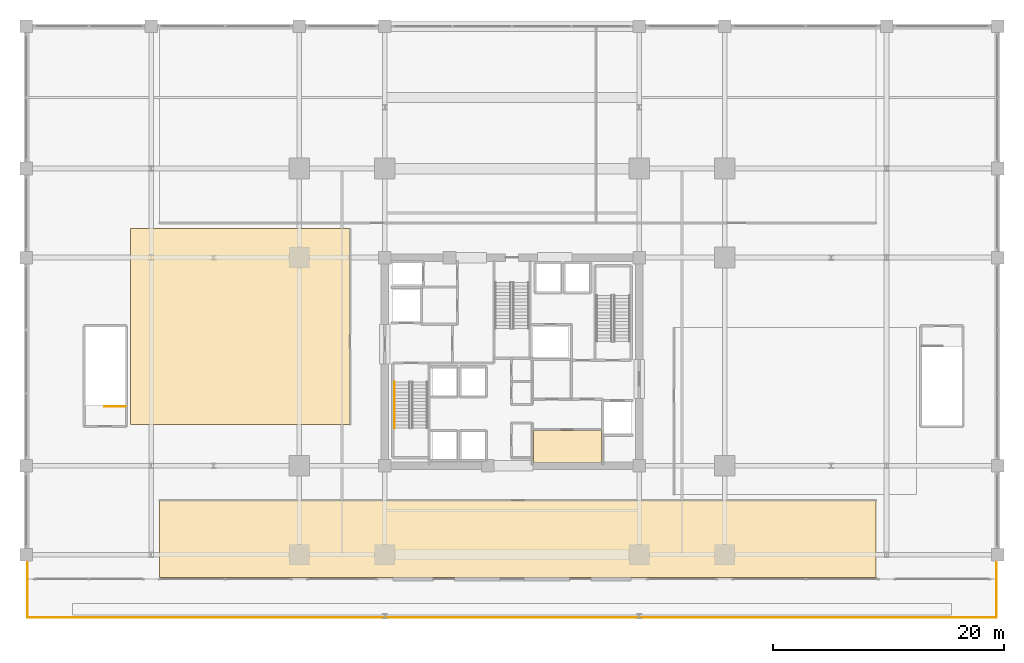
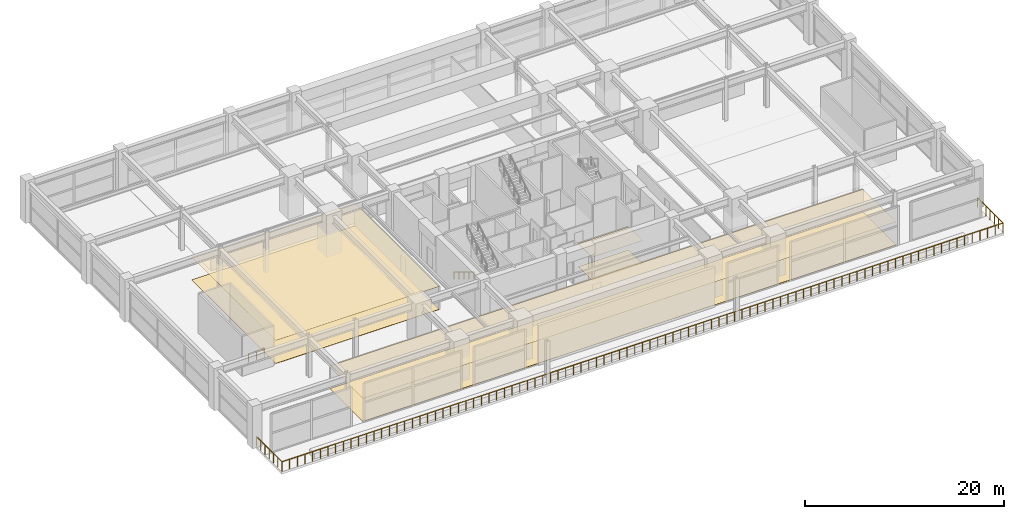
# One storey, part 33 of 35: 6 coverings, 3 railings.
"""IFC4 building model written with IfcOpenShell, lengths in metres."""

from ifc_helpers import new_model, si_unit, direction, frame, origin, origin_2d, place, context, subcontext, project, spatial, polyline, circle, outline, extrude, material, layer, layer_set, type_object, element, save


model = new_model("IFC4")

# Units and contexts
model_context = context("Model", 3, precision=1e-05, world=origin(), true_north=direction((0.0, 1.0)))
body_context = subcontext(model_context, "Body", "Model", "MODEL_VIEW")
ifc_project = project(units=[si_unit("LENGTHUNIT", "METRE"), si_unit("AREAUNIT", "SQUARE_METRE"), si_unit("VOLUMEUNIT", "CUBIC_METRE"), si_unit("PLANEANGLEUNIT", "RADIAN"), si_unit("MASSUNIT", "GRAM", prefix="KILO")], contexts=[model_context])

# Site, building, storey
site_placement = place(None, origin())
site = spatial("IfcSite", under=ifc_project, at=site_placement, CompositionType="ELEMENT")
building_placement = place(site_placement, origin())
building = spatial("IfcBuilding", under=site, at=building_placement, Name="Kovane Verandah Tower", CompositionType="ELEMENT")
storey_placement = place(building_placement, frame((0.0, 0.0, 16.39990234375)))
storey = spatial("IfcBuildingStorey", under=building, at=storey_placement, Name="L03", CompositionType="ELEMENT", Elevation=16.39990234375)

# Coverings
ifc_material_1 = material(Name="Perforated Acoustic Mineral-Fibre Ceiling Tile", Category="gypsum")
ifc_layer_1 = layer(ifc_material_1, 0.02490234375)
ifc_layer_set_1 = layer_set([ifc_layer_1], Name="Perforated Acoustic Mineral-Fibre Ceiling Tile")
covering_type_1 = type_object("IfcCoveringType", Name="CV-CEIL-25", PredefinedType="CEILING", material=ifc_layer_set_1)
covering_1_placement = place(storey_placement, frame((0.0, 0.0, 2.8251953125)))
element("IfcCovering", 1, at=covering_1_placement, inside=storey, type_object=covering_type_1, Name="L03 Records Vault Room Acoustic Ceiling", PredefinedType="CEILING", context=body_context, shape_type="SweptSolid", body=[
    extrude(outline(polyline([(41.864990234375, 18.784912109375), (47.764892578125, 18.784912109375), (47.764892578125, 21.56494140625), (41.864990234375, 21.56494140625), (41.864990234375, 18.784912109375)])), origin(), (0.0, 0.0, 1.0), 0.02490234375),
])
covering_2_placement = place(storey_placement, frame((0.0, 0.0, 2.8251953125)))
element("IfcCovering", 2, at=covering_2_placement, inside=storey, type_object=covering_type_1, Name="L03 South Conference Centre Acoustic Ceiling", PredefinedType="CEILING", context=body_context, shape_type="SweptSolid", body=[
    extrude(outline(polyline([(9.5, 8.85009765625), (71.5, 8.85009765625), (71.5, 15.5), (9.5, 15.5), (9.5, 8.85009765625)])), origin(), (0.0, 0.0, 1.0), 0.02490234375),
])
covering_3_placement = place(storey_placement, frame((0.0, 0.0, 2.8251953125)))
element("IfcCovering", 3, at=covering_3_placement, inside=storey, type_object=covering_type_1, Name="L03 West Client Advisory Suite Acoustic Ceiling", PredefinedType="CEILING", context=body_context, shape_type="SweptSolid", body=[
    extrude(outline(polyline([(7.0, 22.050048828125), (26.0, 22.050048828125), (26.0, 39.0), (7.0, 39.0), (7.0, 22.050048828125)])), origin(), (0.0, 0.0, 1.0), 0.02490234375),
])
ifc_material_2 = material(Name="Polished Terrazzo and Raised-Access Carpet Tile Finish", Category="concrete")
ifc_layer_2 = layer(ifc_material_2, 0.030029296875)
ifc_layer_set_2 = layer_set([ifc_layer_2], Name="Polished Terrazzo and Raised-Access Carpet Tile Finish")
covering_type_2 = type_object("IfcCoveringType", Name="CV-FLOR-30", PredefinedType="FLOORING", material=ifc_layer_set_2)
covering_4_placement = place(storey_placement, origin())
element("IfcCovering", 4, at=covering_4_placement, inside=storey, type_object=covering_type_2, Name="L03 Records Vault Room Floor Finish", PredefinedType="FLOORING", context=body_context, shape_type="SweptSolid", body=[
    extrude(outline(polyline([(41.8798828125, 18.800048828125), (47.75, 18.800048828125), (47.75, 21.550048828125), (41.8798828125, 21.550048828125), (41.8798828125, 18.800048828125)])), origin(), (0.0, 0.0, 1.0), 0.030029296875),
])
covering_5_placement = place(storey_placement, origin())
element("IfcCovering", 5, at=covering_5_placement, inside=storey, type_object=covering_type_2, Name="L03 South Conference Centre Floor Finish", PredefinedType="FLOORING", context=body_context, shape_type="SweptSolid", body=[
    extrude(outline(polyline([(9.5, 8.85009765625), (71.5, 8.85009765625), (71.5, 15.5), (9.5, 15.5), (9.5, 8.85009765625)])), origin(), (0.0, 0.0, 1.0), 0.030029296875),
])
covering_6_placement = place(storey_placement, origin())
element("IfcCovering", 6, at=covering_6_placement, inside=storey, type_object=covering_type_2, Name="L03 West Client Advisory Suite Floor Finish", PredefinedType="FLOORING", context=body_context, shape_type="SweptSolid", body=[
    extrude(outline(polyline([(7.0, 22.050048828125), (26.0, 22.050048828125), (26.0, 39.0), (7.0, 39.0), (7.0, 22.050048828125)])), origin(), (0.0, 0.0, 1.0), 0.030029296875),
])

# Railings
ifc_material_3 = material(Name="Pale-Champagne Stainless Steel and Glass Perimeter Guard", Category="steel")
railing_type_1 = type_object("IfcRailingType", Name="RL-GDN-1200", PredefinedType="GUARDRAIL", material=ifc_material_3)
railing_1_placement = place(storey_placement, frame((-1.919921875, 10.5, 0.0)))
element("IfcRailing", 7, at=railing_1_placement, inside=storey, type_object=railing_type_1, Name="L03 Cascading Garden Terrace Balustrade", PredefinedType="GUARDRAIL", context=body_context, shape_type="SweptSolid", body=[
    extrude(circle(Radius=0.02392578125, at=origin_2d()), frame((0.0, 0.0, 1.17578125), z_axis=(0.0, -1.0, 0.0), x_axis=(1.0, 0.0, 0.0)), (0.0, 0.0, 1.0), 5.1201171875),
    extrude(circle(Radius=0.02392578125, at=origin_2d()), frame((0.0, -5.1201171875, 1.17578125), z_axis=(1.0, 0.0, 0.0), x_axis=(0.0, 1.0, 0.0)), (0.0, 0.0, 1.0), 83.83984375),
    extrude(circle(Radius=0.02392578125, at=origin_2d()), frame((83.83984375, -5.1201171875, 1.17578125), z_axis=(0.0, 1.0, 0.0), x_axis=(-1.0, 0.0, 0.0)), (0.0, 0.0, 1.0), 5.1201171875),
    extrude(circle(Radius=0.02099609375, at=origin_2d()), origin(), (0.0, 0.0, 1.0), 1.15185546875),
    extrude(circle(Radius=0.02099609375, at=origin_2d()), frame((0.0, -0.853271484375, 0.0)), (0.0, 0.0, 1.0), 1.15185546875),
    extrude(circle(Radius=0.02099609375, at=origin_2d()), frame((0.0, -1.706787109375, 0.0)), (0.0, 0.0, 1.0), 1.15185546875),
    extrude(circle(Radius=0.02099609375, at=origin_2d()), frame((0.0, -2.56005859375, 0.0)), (0.0, 0.0, 1.0), 1.15185546875),
    extrude(circle(Radius=0.02099609375, at=origin_2d()), frame((0.0, -3.413330078125, 0.0)), (0.0, 0.0, 1.0), 1.15185546875),
    extrude(circle(Radius=0.02099609375, at=origin_2d()), frame((0.0, -4.266845703125, 0.0)), (0.0, 0.0, 1.0), 1.15185546875),
    extrude(circle(Radius=0.02099609375, at=origin_2d()), frame((0.0, -5.1201171875, 0.0)), (0.0, 0.0, 1.0), 1.15185546875),
    extrude(circle(Radius=0.02099609375, at=origin_2d()), frame((0.891845703125, -5.1201171875, 0.0)), (0.0, 0.0, 1.0), 1.15185546875),
    extrude(circle(Radius=0.02099609375, at=origin_2d()), frame((1.783935546875, -5.1201171875, 0.0)), (0.0, 0.0, 1.0), 1.15185546875),
    extrude(circle(Radius=0.02099609375, at=origin_2d()), frame((2.67578125, -5.1201171875, 0.0)), (0.0, 0.0, 1.0), 1.15185546875),
    extrude(circle(Radius=0.02099609375, at=origin_2d()), frame((3.567626953125, -5.1201171875, 0.0)), (0.0, 0.0, 1.0), 1.15185546875),
    extrude(circle(Radius=0.02099609375, at=origin_2d()), frame((4.45947265625, -5.1201171875, 0.0)), (0.0, 0.0, 1.0), 1.15185546875),
    extrude(circle(Radius=0.02099609375, at=origin_2d()), frame((5.3515625, -5.1201171875, 0.0)), (0.0, 0.0, 1.0), 1.15185546875),
    extrude(circle(Radius=0.02099609375, at=origin_2d()), frame((6.243408203125, -5.1201171875, 0.0)), (0.0, 0.0, 1.0), 1.15185546875),
    extrude(circle(Radius=0.02099609375, at=origin_2d()), frame((7.13525390625, -5.1201171875, 0.0)), (0.0, 0.0, 1.0), 1.15185546875),
    extrude(circle(Radius=0.02099609375, at=origin_2d()), frame((8.027099609375, -5.1201171875, 0.0)), (0.0, 0.0, 1.0), 1.15185546875),
    extrude(circle(Radius=0.02099609375, at=origin_2d()), frame((8.919189453125, -5.1201171875, 0.0)), (0.0, 0.0, 1.0), 1.15185546875),
    extrude(circle(Radius=0.02099609375, at=origin_2d()), frame((9.81103515625, -5.1201171875, 0.0)), (0.0, 0.0, 1.0), 1.15185546875),
    extrude(circle(Radius=0.02099609375, at=origin_2d()), frame((10.702880859375, -5.1201171875, 0.0)), (0.0, 0.0, 1.0), 1.15185546875),
    extrude(circle(Radius=0.02099609375, at=origin_2d()), frame((11.594970703125, -5.1201171875, 0.0)), (0.0, 0.0, 1.0), 1.15185546875),
    extrude(circle(Radius=0.02099609375, at=origin_2d()), frame((12.48681640625, -5.1201171875, 0.0)), (0.0, 0.0, 1.0), 1.15185546875),
    extrude(circle(Radius=0.02099609375, at=origin_2d()), frame((13.378662109375, -5.1201171875, 0.0)), (0.0, 0.0, 1.0), 1.15185546875),
    extrude(circle(Radius=0.02099609375, at=origin_2d()), frame((14.2705078125, -5.1201171875, 0.0)), (0.0, 0.0, 1.0), 1.15185546875),
    extrude(circle(Radius=0.02099609375, at=origin_2d()), frame((15.16259765625, -5.1201171875, 0.0)), (0.0, 0.0, 1.0), 1.15185546875),
    extrude(circle(Radius=0.02099609375, at=origin_2d()), frame((16.054443359375, -5.1201171875, 0.0)), (0.0, 0.0, 1.0), 1.15185546875),
    extrude(circle(Radius=0.02099609375, at=origin_2d()), frame((16.9462890625, -5.1201171875, 0.0)), (0.0, 0.0, 1.0), 1.15185546875),
    extrude(circle(Radius=0.02099609375, at=origin_2d()), frame((17.83837890625, -5.1201171875, 0.0)), (0.0, 0.0, 1.0), 1.15185546875),
    extrude(circle(Radius=0.02099609375, at=origin_2d()), frame((18.730224609375, -5.1201171875, 0.0)), (0.0, 0.0, 1.0), 1.15185546875),
    extrude(circle(Radius=0.02099609375, at=origin_2d()), frame((19.6220703125, -5.1201171875, 0.0)), (0.0, 0.0, 1.0), 1.15185546875),
    extrude(circle(Radius=0.02099609375, at=origin_2d()), frame((20.513916015625, -5.1201171875, 0.0)), (0.0, 0.0, 1.0), 1.15185546875),
    extrude(circle(Radius=0.02099609375, at=origin_2d()), frame((21.406005859375, -5.1201171875, 0.0)), (0.0, 0.0, 1.0), 1.15185546875),
    extrude(circle(Radius=0.02099609375, at=origin_2d()), frame((22.2978515625, -5.1201171875, 0.0)), (0.0, 0.0, 1.0), 1.15185546875),
    extrude(circle(Radius=0.02099609375, at=origin_2d()), frame((23.189697265625, -5.1201171875, 0.0)), (0.0, 0.0, 1.0), 1.15185546875),
    extrude(circle(Radius=0.02099609375, at=origin_2d()), frame((24.08154296875, -5.1201171875, 0.0)), (0.0, 0.0, 1.0), 1.15185546875),
    extrude(circle(Radius=0.02099609375, at=origin_2d()), frame((24.9736328125, -5.1201171875, 0.0)), (0.0, 0.0, 1.0), 1.15185546875),
    extrude(circle(Radius=0.02099609375, at=origin_2d()), frame((25.865478515625, -5.1201171875, 0.0)), (0.0, 0.0, 1.0), 1.15185546875),
    extrude(circle(Radius=0.02099609375, at=origin_2d()), frame((26.75732421875, -5.1201171875, 0.0)), (0.0, 0.0, 1.0), 1.15185546875),
    extrude(circle(Radius=0.02099609375, at=origin_2d()), frame((27.6494140625, -5.1201171875, 0.0)), (0.0, 0.0, 1.0), 1.15185546875),
    extrude(circle(Radius=0.02099609375, at=origin_2d()), frame((28.541259765625, -5.1201171875, 0.0)), (0.0, 0.0, 1.0), 1.15185546875),
    extrude(circle(Radius=0.02099609375, at=origin_2d()), frame((29.43310546875, -5.1201171875, 0.0)), (0.0, 0.0, 1.0), 1.15185546875),
    extrude(circle(Radius=0.02099609375, at=origin_2d()), frame((30.324951171875, -5.1201171875, 0.0)), (0.0, 0.0, 1.0), 1.15185546875),
    extrude(circle(Radius=0.02099609375, at=origin_2d()), frame((31.217041015625, -5.1201171875, 0.0)), (0.0, 0.0, 1.0), 1.15185546875),
    extrude(circle(Radius=0.02099609375, at=origin_2d()), frame((32.10888671875, -5.1201171875, 0.0)), (0.0, 0.0, 1.0), 1.15185546875),
    extrude(circle(Radius=0.02099609375, at=origin_2d()), frame((33.000732421875, -5.1201171875, 0.0)), (0.0, 0.0, 1.0), 1.15185546875),
    extrude(circle(Radius=0.02099609375, at=origin_2d()), frame((33.892822265625, -5.1201171875, 0.0)), (0.0, 0.0, 1.0), 1.15185546875),
    extrude(circle(Radius=0.02099609375, at=origin_2d()), frame((34.78466796875, -5.1201171875, 0.0)), (0.0, 0.0, 1.0), 1.15185546875),
    extrude(circle(Radius=0.02099609375, at=origin_2d()), frame((35.676513671875, -5.1201171875, 0.0)), (0.0, 0.0, 1.0), 1.15185546875),
    extrude(circle(Radius=0.02099609375, at=origin_2d()), frame((36.568359375, -5.1201171875, 0.0)), (0.0, 0.0, 1.0), 1.15185546875),
    extrude(circle(Radius=0.02099609375, at=origin_2d()), frame((37.46044921875, -5.1201171875, 0.0)), (0.0, 0.0, 1.0), 1.15185546875),
    extrude(circle(Radius=0.02099609375, at=origin_2d()), frame((38.352294921875, -5.1201171875, 0.0)), (0.0, 0.0, 1.0), 1.15185546875),
    extrude(circle(Radius=0.02099609375, at=origin_2d()), frame((39.244140625, -5.1201171875, 0.0)), (0.0, 0.0, 1.0), 1.15185546875),
    extrude(circle(Radius=0.02099609375, at=origin_2d()), frame((40.135986328125, -5.1201171875, 0.0)), (0.0, 0.0, 1.0), 1.15185546875),
    extrude(circle(Radius=0.02099609375, at=origin_2d()), frame((41.028076171875, -5.1201171875, 0.0)), (0.0, 0.0, 1.0), 1.15185546875),
    extrude(circle(Radius=0.02099609375, at=origin_2d()), frame((41.919921875, -5.1201171875, 0.0)), (0.0, 0.0, 1.0), 1.15185546875),
    extrude(circle(Radius=0.02099609375, at=origin_2d()), frame((42.811767578125, -5.1201171875, 0.0)), (0.0, 0.0, 1.0), 1.15185546875),
    extrude(circle(Radius=0.02099609375, at=origin_2d()), frame((43.703857421875, -5.1201171875, 0.0)), (0.0, 0.0, 1.0), 1.15185546875),
    extrude(circle(Radius=0.02099609375, at=origin_2d()), frame((44.595703125, -5.1201171875, 0.0)), (0.0, 0.0, 1.0), 1.15185546875),
    extrude(circle(Radius=0.02099609375, at=origin_2d()), frame((45.487548828125, -5.1201171875, 0.0)), (0.0, 0.0, 1.0), 1.15185546875),
    extrude(circle(Radius=0.02099609375, at=origin_2d()), frame((46.37939453125, -5.1201171875, 0.0)), (0.0, 0.0, 1.0), 1.15185546875),
    extrude(circle(Radius=0.02099609375, at=origin_2d()), frame((47.271484375, -5.1201171875, 0.0)), (0.0, 0.0, 1.0), 1.15185546875),
    extrude(circle(Radius=0.02099609375, at=origin_2d()), frame((48.163330078125, -5.1201171875, 0.0)), (0.0, 0.0, 1.0), 1.15185546875),
    extrude(circle(Radius=0.02099609375, at=origin_2d()), frame((49.05517578125, -5.1201171875, 0.0)), (0.0, 0.0, 1.0), 1.15185546875),
    extrude(circle(Radius=0.02099609375, at=origin_2d()), frame((49.947021484375, -5.1201171875, 0.0)), (0.0, 0.0, 1.0), 1.15185546875),
    extrude(circle(Radius=0.02099609375, at=origin_2d()), frame((50.839111328125, -5.1201171875, 0.0)), (0.0, 0.0, 1.0), 1.15185546875),
    extrude(circle(Radius=0.02099609375, at=origin_2d()), frame((51.73095703125, -5.1201171875, 0.0)), (0.0, 0.0, 1.0), 1.15185546875),
    extrude(circle(Radius=0.02099609375, at=origin_2d()), frame((52.622802734375, -5.1201171875, 0.0)), (0.0, 0.0, 1.0), 1.15185546875),
    extrude(circle(Radius=0.02099609375, at=origin_2d()), frame((53.514892578125, -5.1201171875, 0.0)), (0.0, 0.0, 1.0), 1.15185546875),
    extrude(circle(Radius=0.02099609375, at=origin_2d()), frame((54.40673828125, -5.1201171875, 0.0)), (0.0, 0.0, 1.0), 1.15185546875),
    extrude(circle(Radius=0.02099609375, at=origin_2d()), frame((55.298583984375, -5.1201171875, 0.0)), (0.0, 0.0, 1.0), 1.15185546875),
    extrude(circle(Radius=0.02099609375, at=origin_2d()), frame((56.1904296875, -5.1201171875, 0.0)), (0.0, 0.0, 1.0), 1.15185546875),
    extrude(circle(Radius=0.02099609375, at=origin_2d()), frame((57.08251953125, -5.1201171875, 0.0)), (0.0, 0.0, 1.0), 1.15185546875),
    extrude(circle(Radius=0.02099609375, at=origin_2d()), frame((57.974365234375, -5.1201171875, 0.0)), (0.0, 0.0, 1.0), 1.15185546875),
    extrude(circle(Radius=0.02099609375, at=origin_2d()), frame((58.8662109375, -5.1201171875, 0.0)), (0.0, 0.0, 1.0), 1.15185546875),
    extrude(circle(Radius=0.02099609375, at=origin_2d()), frame((59.75830078125, -5.1201171875, 0.0)), (0.0, 0.0, 1.0), 1.15185546875),
    extrude(circle(Radius=0.02099609375, at=origin_2d()), frame((60.650146484375, -5.1201171875, 0.0)), (0.0, 0.0, 1.0), 1.15185546875),
    extrude(circle(Radius=0.02099609375, at=origin_2d()), frame((61.5419921875, -5.1201171875, 0.0)), (0.0, 0.0, 1.0), 1.15185546875),
    extrude(circle(Radius=0.02099609375, at=origin_2d()), frame((62.433837890625, -5.1201171875, 0.0)), (0.0, 0.0, 1.0), 1.15185546875),
    extrude(circle(Radius=0.02099609375, at=origin_2d()), frame((63.325927734375, -5.1201171875, 0.0)), (0.0, 0.0, 1.0), 1.15185546875),
    extrude(circle(Radius=0.02099609375, at=origin_2d()), frame((64.2177734375, -5.1201171875, 0.0)), (0.0, 0.0, 1.0), 1.15185546875),
    extrude(circle(Radius=0.02099609375, at=origin_2d()), frame((65.109619140625, -5.1201171875, 0.0)), (0.0, 0.0, 1.0), 1.15185546875),
    extrude(circle(Radius=0.02099609375, at=origin_2d()), frame((66.00146484375, -5.1201171875, 0.0)), (0.0, 0.0, 1.0), 1.15185546875),
    extrude(circle(Radius=0.02099609375, at=origin_2d()), frame((66.8935546875, -5.1201171875, 0.0)), (0.0, 0.0, 1.0), 1.15185546875),
    extrude(circle(Radius=0.02099609375, at=origin_2d()), frame((67.785400390625, -5.1201171875, 0.0)), (0.0, 0.0, 1.0), 1.15185546875),
    extrude(circle(Radius=0.02099609375, at=origin_2d()), frame((68.67724609375, -5.1201171875, 0.0)), (0.0, 0.0, 1.0), 1.15185546875),
    extrude(circle(Radius=0.02099609375, at=origin_2d()), frame((69.5693359375, -5.1201171875, 0.0)), (0.0, 0.0, 1.0), 1.15185546875),
    extrude(circle(Radius=0.02099609375, at=origin_2d()), frame((70.461181640625, -5.1201171875, 0.0)), (0.0, 0.0, 1.0), 1.15185546875),
    extrude(circle(Radius=0.02099609375, at=origin_2d()), frame((71.35302734375, -5.1201171875, 0.0)), (0.0, 0.0, 1.0), 1.15185546875),
    extrude(circle(Radius=0.02099609375, at=origin_2d()), frame((72.244873046875, -5.1201171875, 0.0)), (0.0, 0.0, 1.0), 1.15185546875),
    extrude(circle(Radius=0.02099609375, at=origin_2d()), frame((73.136962890625, -5.1201171875, 0.0)), (0.0, 0.0, 1.0), 1.15185546875),
    extrude(circle(Radius=0.02099609375, at=origin_2d()), frame((74.02880859375, -5.1201171875, 0.0)), (0.0, 0.0, 1.0), 1.15185546875),
    extrude(circle(Radius=0.02099609375, at=origin_2d()), frame((74.920654296875, -5.1201171875, 0.0)), (0.0, 0.0, 1.0), 1.15185546875),
    extrude(circle(Radius=0.02099609375, at=origin_2d()), frame((75.812744140625, -5.1201171875, 0.0)), (0.0, 0.0, 1.0), 1.15185546875),
    extrude(circle(Radius=0.02099609375, at=origin_2d()), frame((76.70458984375, -5.1201171875, 0.0)), (0.0, 0.0, 1.0), 1.15185546875),
    extrude(circle(Radius=0.02099609375, at=origin_2d()), frame((77.596435546875, -5.1201171875, 0.0)), (0.0, 0.0, 1.0), 1.15185546875),
    extrude(circle(Radius=0.02099609375, at=origin_2d()), frame((78.48828125, -5.1201171875, 0.0)), (0.0, 0.0, 1.0), 1.15185546875),
    extrude(circle(Radius=0.02099609375, at=origin_2d()), frame((79.38037109375, -5.1201171875, 0.0)), (0.0, 0.0, 1.0), 1.15185546875),
    extrude(circle(Radius=0.02099609375, at=origin_2d()), frame((80.272216796875, -5.1201171875, 0.0)), (0.0, 0.0, 1.0), 1.15185546875),
    extrude(circle(Radius=0.02099609375, at=origin_2d()), frame((81.1640625, -5.1201171875, 0.0)), (0.0, 0.0, 1.0), 1.15185546875),
    extrude(circle(Radius=0.02099609375, at=origin_2d()), frame((82.055908203125, -5.1201171875, 0.0)), (0.0, 0.0, 1.0), 1.15185546875),
    extrude(circle(Radius=0.02099609375, at=origin_2d()), frame((82.947998046875, -5.1201171875, 0.0)), (0.0, 0.0, 1.0), 1.15185546875),
    extrude(circle(Radius=0.02099609375, at=origin_2d()), frame((83.83984375, -5.1201171875, 0.0)), (0.0, 0.0, 1.0), 1.15185546875),
    extrude(circle(Radius=0.02099609375, at=origin_2d()), frame((83.83984375, -4.266845703125, 0.0)), (0.0, 0.0, 1.0), 1.15185546875),
    extrude(circle(Radius=0.02099609375, at=origin_2d()), frame((83.83984375, -3.413330078125, 0.0)), (0.0, 0.0, 1.0), 1.15185546875),
    extrude(circle(Radius=0.02099609375, at=origin_2d()), frame((83.83984375, -2.56005859375, 0.0)), (0.0, 0.0, 1.0), 1.15185546875),
    extrude(circle(Radius=0.02099609375, at=origin_2d()), frame((83.83984375, -1.706787109375, 0.0)), (0.0, 0.0, 1.0), 1.15185546875),
    extrude(circle(Radius=0.02099609375, at=origin_2d()), frame((83.83984375, -0.853271484375, 0.0)), (0.0, 0.0, 1.0), 1.15185546875),
    extrude(circle(Radius=0.02099609375, at=origin_2d()), frame((83.83984375, 0.0, 0.0)), (0.0, 0.0, 1.0), 1.15185546875),
])
ifc_material_4 = material(Name="Brushed Stainless Steel Handrail", Category="steel")
railing_type_2 = type_object("IfcRailingType", Name="RL-HAND-920", PredefinedType="HANDRAIL", material=ifc_material_4)
railing_2_placement = place(storey_placement, frame((29.85009765625, 25.75, 0.17333984375)))
element("IfcRailing", 8, at=railing_2_placement, inside=storey, type_object=railing_type_2, Name="L03 ST-01 stair handrail 1", PredefinedType="HANDRAIL", context=body_context, shape_type="SweptSolid", body=[
    extrude(circle(Radius=0.02392578125, at=origin_2d()), frame((0.0, 0.0, 0.8759765625), z_axis=(0.0, -0.854382233033, 0.519645071061), x_axis=(1.0, 0.0, 0.0)), (0.0, 0.0, 1.0), 4.669921875),
    extrude(circle(Radius=0.02099609375, at=origin_2d()), origin(), (0.0, 0.0, 1.0), 0.851806640625),
    extrude(circle(Radius=0.02099609375, at=origin_2d()), frame((0.0, -0.99755859375, 0.606689453125)), (0.0, 0.0, 1.0), 0.851806640625),
    extrude(circle(Radius=0.02099609375, at=origin_2d()), frame((0.0, -1.9951171875, 1.21337890625)), (0.0, 0.0, 1.0), 0.851806640625),
    extrude(circle(Radius=0.02099609375, at=origin_2d()), frame((0.0, -2.992431640625, 1.820068359375)), (0.0, 0.0, 1.0), 0.851806640625),
    extrude(circle(Radius=0.02099609375, at=origin_2d()), frame((0.0, -3.989990234375, 2.4267578125)), (0.0, 0.0, 1.0), 0.851806640625),
])
ifc_material_5 = material(Name="Painted Steel Stairwell Guardrail", Category="steel")
railing_type_3 = type_object("IfcRailingType", Name="RL-STGUARD-1120", PredefinedType="GUARDRAIL", material=ifc_material_5)
railing_3_placement = place(storey_placement, frame((6.56005859375, 23.6298828125, 0.0)))
element("IfcRailing", 9, at=railing_3_placement, inside=storey, type_object=railing_type_3, Name="L03 ST-04 top well guard 1", PredefinedType="GUARDRAIL", context=body_context, shape_type="SweptSolid", body=[
    extrude(circle(Radius=0.02392578125, at=origin_2d()), frame((0.0, 0.0, 1.076171875), z_axis=(-1.0, 0.0, 0.0), x_axis=(0.0, -1.0, 0.0)), (0.0, 0.0, 1.0), 1.81005859375),
    extrude(circle(Radius=0.02099609375, at=origin_2d()), origin(), (0.0, 0.0, 1.0), 1.052001953125),
    extrude(circle(Radius=0.02099609375, at=origin_2d()), frame((-0.905029296875, 0.0, 0.0)), (0.0, 0.0, 1.0), 1.052001953125),
    extrude(circle(Radius=0.02099609375, at=origin_2d()), frame((-1.81005859375, 0.0, 0.0)), (0.0, 0.0, 1.0), 1.052001953125),
])

save(model, "model.ifc")
